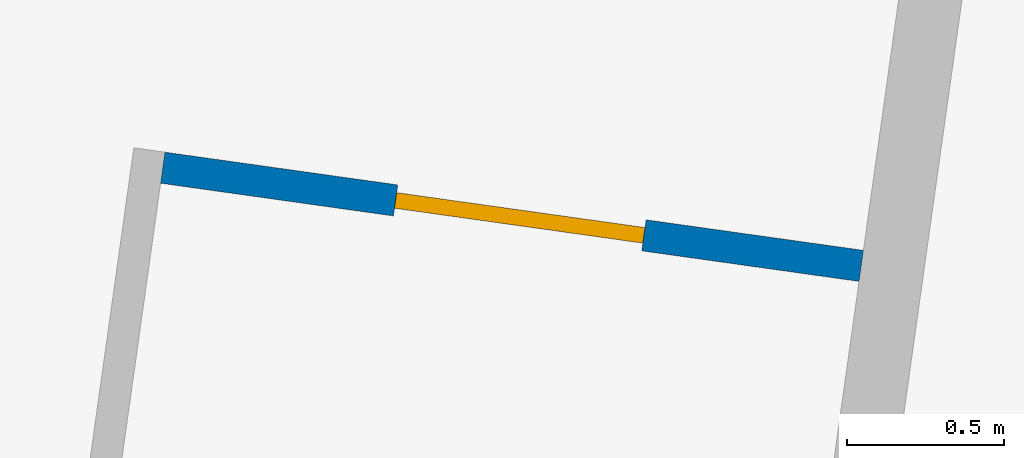
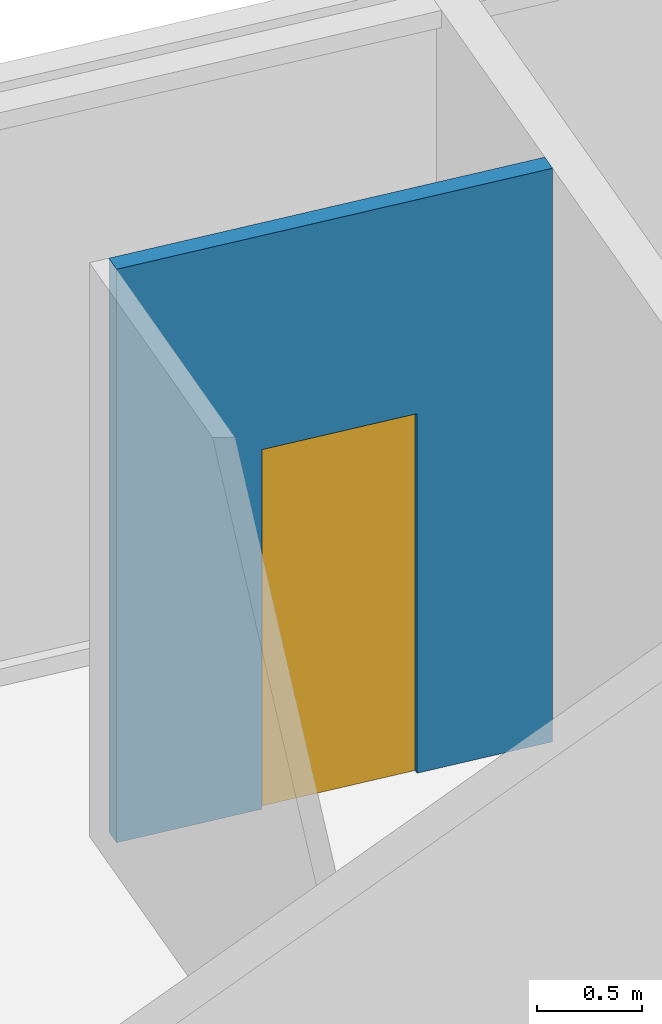
# One storey, part 42 of 49: 1 door, 1 wall, 1 opening.
"""IFC4 building model written with IfcOpenShell, lengths in metres."""

from ifc_helpers import new_model, si_unit, direction, frame, frame_2d, origin, place, context, subcontext, project, spatial, rectangle, extrude, material, layer, layer_set, type_object, element, fill, save


model = new_model("IFC4")

# Units and contexts
model_context = context("Model", 3, precision=1e-05, world=origin(), true_north=direction((0.0, 1.0)))
body_context = subcontext(model_context, "Body", "Model", "MODEL_VIEW")
ifc_project = project(units=[si_unit("LENGTHUNIT", "METRE"), si_unit("AREAUNIT", "SQUARE_METRE"), si_unit("VOLUMEUNIT", "CUBIC_METRE"), si_unit("PLANEANGLEUNIT", "RADIAN"), si_unit("MASSUNIT", "GRAM", prefix="KILO")], contexts=[model_context])

# Site, building, storey
site_placement = place(None, origin())
site = spatial("IfcSite", under=ifc_project, at=site_placement, CompositionType="ELEMENT")
building_placement = place(site_placement, origin())
building = spatial("IfcBuilding", under=site, at=building_placement, Name="Mirante Cascada Hotel Towers", CompositionType="ELEMENT")
storey_placement = place(building_placement, frame((0.0, 0.0, 66.1)))
storey = spatial("IfcBuildingStorey", under=building, at=storey_placement, Name="L13", CompositionType="ELEMENT", Elevation=66.1)

# Wall, opening, door
ifc_material_1 = material(Name="Plasterboard on metal studs")
ifc_layer = layer(ifc_material_1, 0.1)
ifc_layer_set = layer_set([ifc_layer], Name="Partition 100")
wall_type = type_object("IfcWallType", Name="Partition 100", PredefinedType="PARTITIONING", material=ifc_layer_set)
wall_placement = place(storey_placement, frame((-43.2741, 17.4366, 0.0), z_axis=(0.0, 0.0, 1.0), x_axis=(0.9902643, -0.1391997, 0.0)))
wall = element("IfcWall", 1, at=wall_placement, inside=storey, type_object=wall_type, Name="Wall 1-L13-29", PredefinedType="PARTITIONING", context=body_context, shape_type="SweptSolid", body=[
    extrude(rectangle(XDim=2.25, YDim=0.1, at=frame_2d((1.125, 0.0))), origin(), (0.0, 0.0, 1.0), 3.35),
])
opening_placement = place(wall_placement, frame((0.75, 0.0, 0.0)))
opening = element("IfcOpeningElement", 2, at=opening_placement, cuts=wall, Name="Opening D1-L13-28", PredefinedType="OPENING", context=body_context, shape_type="SweptSolid", body=[
    extrude(rectangle(XDim=0.8, YDim=2.1, at=frame_2d((0.4, 1.05))), frame((0.0, 0.05, 0.0), z_axis=(0.0, -1.0, 0.0), x_axis=(1.0, 0.0, 0.0)), (0.0, 0.0, 1.0), 0.1),
])
ifc_material_2 = material(Name="Timber door leaf", Category="wood")
door_type = type_object("IfcDoorType", Name="Bathroom door DG4 800x2100", OperationType="SINGLE_SWING_LEFT", PredefinedType="DOOR", material=ifc_material_2)
door_placement = place(opening_placement, frame((0.8, 0.0, 0.0), z_axis=(0.0, 0.0, 1.0), x_axis=(-1.0, 0.0, 0.0)))
door = element("IfcDoor", 3, at=door_placement, inside=storey, type_object=door_type, Name="Door D1-L13-28", OperationType="SINGLE_SWING_RIGHT", OverallHeight=2.1, OverallWidth=0.8, PredefinedType="DOOR", context=body_context, shape_type="SweptSolid", body=[
    extrude(rectangle(XDim=0.8, YDim=2.1, at=frame_2d((0.4, 1.05))), frame((0.0, 0.025, 0.0), z_axis=(0.0, -1.0, 0.0), x_axis=(1.0, 0.0, 0.0)), (0.0, 0.0, 1.0), 0.05),
])
fill(opening, door)

save(model, "model.ifc")
